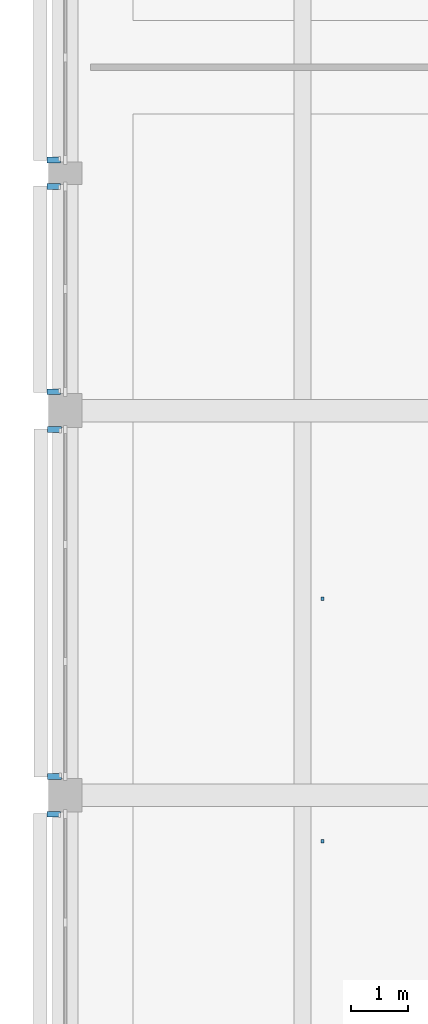
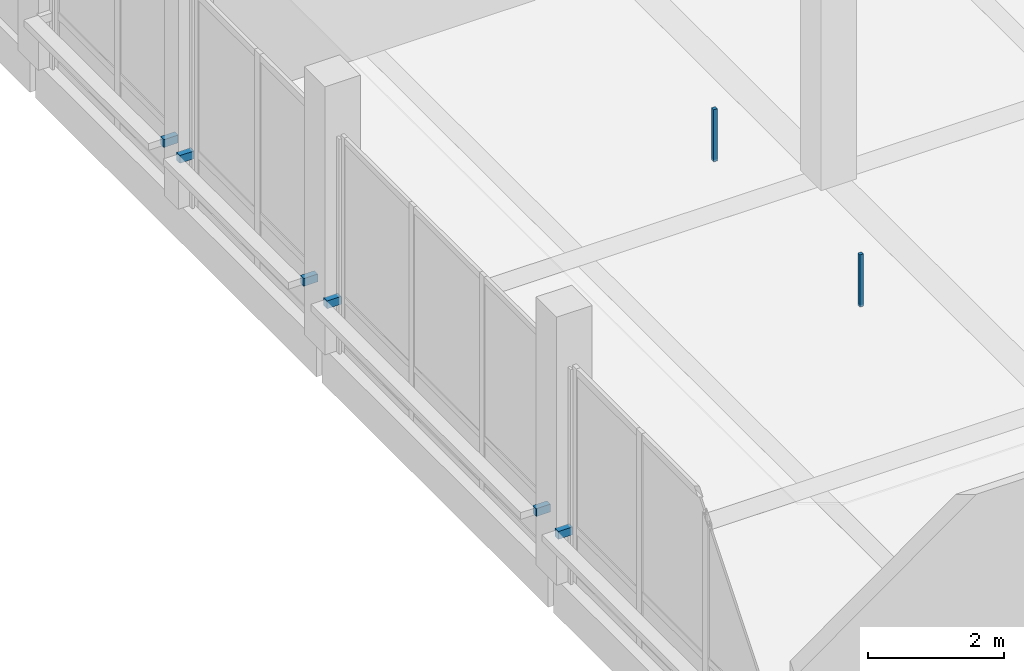
# One storey, part 68 of 122: 8 discrete accessories.
"""IFC4 building model written with IfcOpenShell, lengths in metres."""

import ifcopenshell
import ifcopenshell.guid

model = None  # the IFC model being written
_history = None  # IfcOwnerHistory: only IFC2X3 demands one
_inside = {}  # id of a spatial element -> (the spatial element, [elements in it])
_under = {}  # id of a project, library or spatial element -> (it, [spatial elements below it])
_declared = {}  # id of a project -> (the project, [libraries it declares])
_typed = {}  # id of a type object -> (the type object, [elements of that type])
_made_of = {}  # id of a material, layer set ... -> (it, [elements and type objects made of it])


def new_model(schema):
    """Start an empty IFC model of exactly this schema.

    Asked for "IFC4X3", IfcOpenShell would pick the latest addendum, in which some entities
    have other attributes; the version numbers below select the first issue.
    IFC2X3 requires an IfcOwnerHistory on every rooted entity: one is made here for all.
    """
    global model, _history
    if schema == "IFC4X3":
        model = ifcopenshell.file(schema_version=(4, 3, 0, 0))
    else:
        model = ifcopenshell.file(schema=schema)
    _inside.clear()
    _under.clear()
    _declared.clear()
    _typed.clear()
    _made_of.clear()
    _history = None
    if model.schema == "IFC2X3":
        org = make("IfcOrganization", Name="unknown")
        user = make(
            "IfcPersonAndOrganization",
            ThePerson=make("IfcPerson", FamilyName="unknown"),
            TheOrganization=org,
        )
        app = make(
            "IfcApplication",
            ApplicationDeveloper=org,
            Version="unknown",
            ApplicationFullName="unknown",
            ApplicationIdentifier="unknown",
        )
        _history = make(
            "IfcOwnerHistory",
            OwningUser=user,
            OwningApplication=app,
            ChangeAction="ADDED",
            CreationDate=0,
        )
    return model


def make(cls, **values):
    """One entity of the class cls with the attributes given. An attribute that is None is left unset."""
    return model.create_entity(
        cls, **{name: value for name, value in values.items() if value is not None}
    )


def rooted(cls, **values):
    """An entity with a GlobalId (a new one), such as an element, a storey or a relation."""
    return make(cls, GlobalId=ifcopenshell.guid.new(), OwnerHistory=_history, **values)


def si_unit(unit_type, name, prefix=None):
    """IfcSIUnit, for example si_unit("LENGTHUNIT", "METRE", prefix="MILLI")."""
    return make("IfcSIUnit", UnitType=unit_type, Prefix=prefix, Name=name)


def assignment(units):
    """IfcUnitAssignment: the units of a project."""
    return None if units is None else make("IfcUnitAssignment", Units=units)


def point(xyz):
    """IfcCartesianPoint."""
    return None if xyz is None else make("IfcCartesianPoint", Coordinates=xyz)


def direction(xyz):
    """IfcDirection."""
    return None if xyz is None else make("IfcDirection", DirectionRatios=xyz)


def frame(location, z_axis=None, x_axis=None):
    """IfcAxis2Placement3D, a coordinate frame: its origin and axes. An axis left out is left unset."""
    return make(
        "IfcAxis2Placement3D",
        Location=point(location),
        Axis=direction(z_axis),
        RefDirection=direction(x_axis),
    )


def frame_2d(location, x_axis=None):
    """IfcAxis2Placement2D, a coordinate frame in the plane: its origin and x axis."""
    return make(
        "IfcAxis2Placement2D", Location=point(location), RefDirection=direction(x_axis)
    )


def origin():
    """The frame at (0, 0, 0) with its axes left unset."""
    return frame((0.0, 0.0, 0.0))


def origin_2d():
    """The frame at (0, 0) in the plane with its x axis left unset."""
    return frame_2d((0.0, 0.0))


def place(relative_to, where):
    """IfcLocalPlacement: puts the frame where relative to a parent placement (None: the world)."""
    return make(
        "IfcLocalPlacement", PlacementRelTo=relative_to, RelativePlacement=where
    )


def context(
    kind, dimensions, precision=None, world=None, true_north=None, identifier=None
):
    """IfcGeometricRepresentationContext, for example the 3D "Model" context."""
    return make(
        "IfcGeometricRepresentationContext",
        ContextIdentifier=identifier,
        ContextType=kind,
        CoordinateSpaceDimension=dimensions,
        Precision=precision,
        WorldCoordinateSystem=world,
        TrueNorth=true_north,
    )


def subcontext(parent, identifier, kind, view, scale=None):
    """IfcGeometricRepresentationSubContext, for example "Body" below "Model"."""
    return make(
        "IfcGeometricRepresentationSubContext",
        ContextIdentifier=identifier,
        ContextType=kind,
        ParentContext=parent,
        TargetScale=scale,
        TargetView=view,
    )


def project(units=None, contexts=None):
    """IfcProject with its units and contexts."""
    return rooted(
        "IfcProject",
        Name="project",
        RepresentationContexts=contexts,
        UnitsInContext=assignment(units),
    )


def spatial(cls, under=None, at=None, **own):
    """A site, building, storey or space (cls), placed at a placement, below another one or the project."""
    s = rooted(cls, ObjectPlacement=at, **own)
    if under is not None:
        _under.setdefault(under.id(), (under, []))[1].append(s)
    return s


def profile(cls, at=None, kind="AREA", **sizes):
    """A parametric profile (cls). Its sizes go by their IFC names, for example OverallWidth=200.0."""
    return make(cls, ProfileType=kind, Position=at, **sizes)


def rectangle(**sizes):
    """IfcRectangleProfileDef."""
    return profile("IfcRectangleProfileDef", **sizes)


def extrude(swept, where, along, depth):
    """IfcExtrudedAreaSolid: the profile swept, set in the frame where, extruded along a direction by depth."""
    return make(
        "IfcExtrudedAreaSolid",
        SweptArea=swept,
        Position=where,
        ExtrudedDirection=direction(along),
        Depth=depth,
    )


def shape(context_of_items, identifier, shape_type, items):
    """IfcShapeRepresentation: the items that make up one representation, for example the "Body"."""
    return make(
        "IfcShapeRepresentation",
        ContextOfItems=context_of_items,
        RepresentationIdentifier=identifier,
        RepresentationType=shape_type,
        Items=items,
    )


def material(Name=None, Category=None):
    """IfcMaterial."""
    return make("IfcMaterial", Name=Name, Category=Category)


def made_of(thing, what):
    """Note that an element or type object is made of a material, layer set ...; save() writes the relation."""
    if what is not None:
        _made_of.setdefault(what.id(), (what, []))[1].append(thing)
    return thing


def type_object(cls, material=None, **own):
    """A type object (cls), such as IfcWallType, which elements share."""
    return made_of(rooted(cls, **own), material)


def element(
    cls,
    number,
    at=None,
    inside=None,
    cuts=None,
    type_object=None,
    material=None,
    context=None,
    identifier="Body",
    shape_type=None,
    held_by="IfcProductDefinitionShape",
    body=None,
    shapes=None,
    **own,
):
    """One element of the class cls, such as IfcWall. Its Tag is "e" and its number.

    at: its placement. inside: the storey or other place that contains it. cuts: it is an
    opening in that element (IfcRelVoidsElement). A single representation is given by context,
    identifier, shape_type and body (its items); several are given by shapes. held_by: the class
    of the entity that holds the representations. save() writes the other relations.
    """
    e = rooted(cls, Tag="e%d" % number, ObjectPlacement=at, **own)
    if body is not None:
        shapes = [shape(context, identifier, shape_type, body)]
    if shapes is not None:
        e.Representation = make(held_by, Representations=shapes)
    if inside is not None:
        _inside.setdefault(inside.id(), (inside, []))[1].append(e)
    if cuts is not None:
        rooted(
            "IfcRelVoidsElement", RelatingBuildingElement=cuts, RelatedOpeningElement=e
        )
    if type_object is not None:
        _typed.setdefault(type_object.id(), (type_object, []))[1].append(e)
    return made_of(e, material)


def aggregate(whole, parts):
    """IfcRelAggregates: a whole, such as a stair, and the parts it consists of."""
    return rooted("IfcRelAggregates", RelatingObject=whole, RelatedObjects=parts)


def save(model, path):
    """Write the relations noted so far, then the file.

    IfcRelAggregates (storeys below a building ...), IfcRelContainedInSpatialStructure (elements
    in a storey), IfcRelDefinesByType, IfcRelAssociatesMaterial and IfcRelDeclares: one each for
    every whole, place, type object, material and project.
    """
    for whole, parts in _under.values():
        aggregate(whole, parts)
    for where, things in _inside.values():
        rooted(
            "IfcRelContainedInSpatialStructure",
            RelatedElements=things,
            RelatingStructure=where,
        )
    for kind, things in _typed.values():
        rooted("IfcRelDefinesByType", RelatedObjects=things, RelatingType=kind)
    for what, things in _made_of.values():
        rooted("IfcRelAssociatesMaterial", RelatedObjects=things, RelatingMaterial=what)
    for by, libraries in _declared.values():
        rooted("IfcRelDeclares", RelatingContext=by, RelatedDefinitions=libraries)
    model.write(path)


model = new_model("IFC4")

# Units and contexts
model_context = context("Model", 3, precision=1e-05, world=origin(), true_north=direction((0.0, 1.0)))
body_context = subcontext(model_context, "Body", "Model", "MODEL_VIEW")
ifc_project = project(units=[si_unit("LENGTHUNIT", "METRE"), si_unit("AREAUNIT", "SQUARE_METRE"), si_unit("VOLUMEUNIT", "CUBIC_METRE"), si_unit("PLANEANGLEUNIT", "RADIAN"), si_unit("MASSUNIT", "GRAM", prefix="KILO")], contexts=[model_context])

# Site, building, storey
site_placement = place(None, origin())
site = spatial("IfcSite", under=ifc_project, at=site_placement, CompositionType="ELEMENT")
building_placement = place(site_placement, origin())
building = spatial("IfcBuilding", under=site, at=building_placement, Name="Telukmera Botanical Conservatory", CompositionType="ELEMENT")
storey_placement = place(building_placement, frame((0.0, 0.0, 10.199951171875)))
storey = spatial("IfcBuildingStorey", under=building, at=storey_placement, Name="L02", CompositionType="ELEMENT", Elevation=10.199951171875)

# Discrete accessories
ifc_material = material(Name="Steel S355", Category="steel")
discrete_accessory_type_1 = type_object("IfcDiscreteAccessoryType", Name="ACC-CEIL-HGR", PredefinedType="BRACKET", material=ifc_material)
for number, where, z_axis, x_axis, name in (
    (1, (12.95068359375, 41.987548828125, 3.6201171875), (0.0, 0.0, 1.0), (1.0, 0.0, 0.0), "L02 Suspended Ceiling Hanger Rod 011-1"),
    (2, (12.95068359375, 46.27490234375, 3.6201171875), (0.0, 0.0, 1.0), (1.0, 0.0, 0.0), "L02 Suspended Ceiling Hanger Rod 011-2"),
):
    element("IfcDiscreteAccessory", number, at=place(storey_placement, frame(where, z_axis=z_axis, x_axis=x_axis)), inside=storey, type_object=discrete_accessory_type_1, Name=name, PredefinedType="BRACKET", context=body_context, shape_type="SweptSolid", body=[
        extrude(rectangle(XDim=0.06005859375, YDim=0.06005859375, at=origin_2d()), origin(), (0.0, 0.0, 1.0), 0.93505859375),
    ])
discrete_accessory_type_2 = type_object("IfcDiscreteAccessoryType", Name="Structural Steel Facade Outrigger Fin Bracket", PredefinedType="BRACKET", material=ifc_material)
for number, where, z_axis, x_axis, name in (
    (3, (8.199951171875, 42.465576171875, 0.8798828125), (0.0, 0.0, 1.0), (0.0, 1.0, 0.0), "Facade Outrigger Bracket V3:L02:W3 B"),
    (4, (8.2099609375, 43.132080078125, 0.8798828125), (0.0, 0.0, 1.0), (0.0, 1.0, 0.0), "Facade Outrigger Bracket V3:L02:W4 A"),
    (5, (8.2099609375, 49.26806640625, 0.8798828125), (0.0, 0.0, 1.0), (0.0, 1.0, 0.0), "Facade Outrigger Bracket V3:L02:W4 B"),
    (6, (8.199951171875, 49.9345703125, 0.8798828125), (0.0, 0.0, 1.0), (0.0, 1.0, 0.0), "Facade Outrigger Bracket V3:L02:W5A A"),
    (7, (8.199951171875, 53.5654296875, 0.8798828125), (0.0, 0.0, 1.0), (0.0, 1.0, 0.0), "Facade Outrigger Bracket V3:L02:W5A B"),
    (8, (8.199951171875, 54.034423828125, 0.8798828125), (0.0, 0.0, 1.0), (0.0, 1.0, 0.0), "Facade Outrigger Bracket V3:L02:W5B A"),
):
    element("IfcDiscreteAccessory", number, at=place(storey_placement, frame(where, z_axis=z_axis, x_axis=x_axis)), inside=storey, type_object=discrete_accessory_type_2, Name=name, PredefinedType="BRACKET", context=body_context, shape_type="SweptSolid", body=[
        extrude(rectangle(XDim=0.10009765625, YDim=0.239990234375, at=origin_2d()), origin(), (0.0, 0.0, 1.0), 0.139892578125),
    ])

save(model, "model.ifc")
